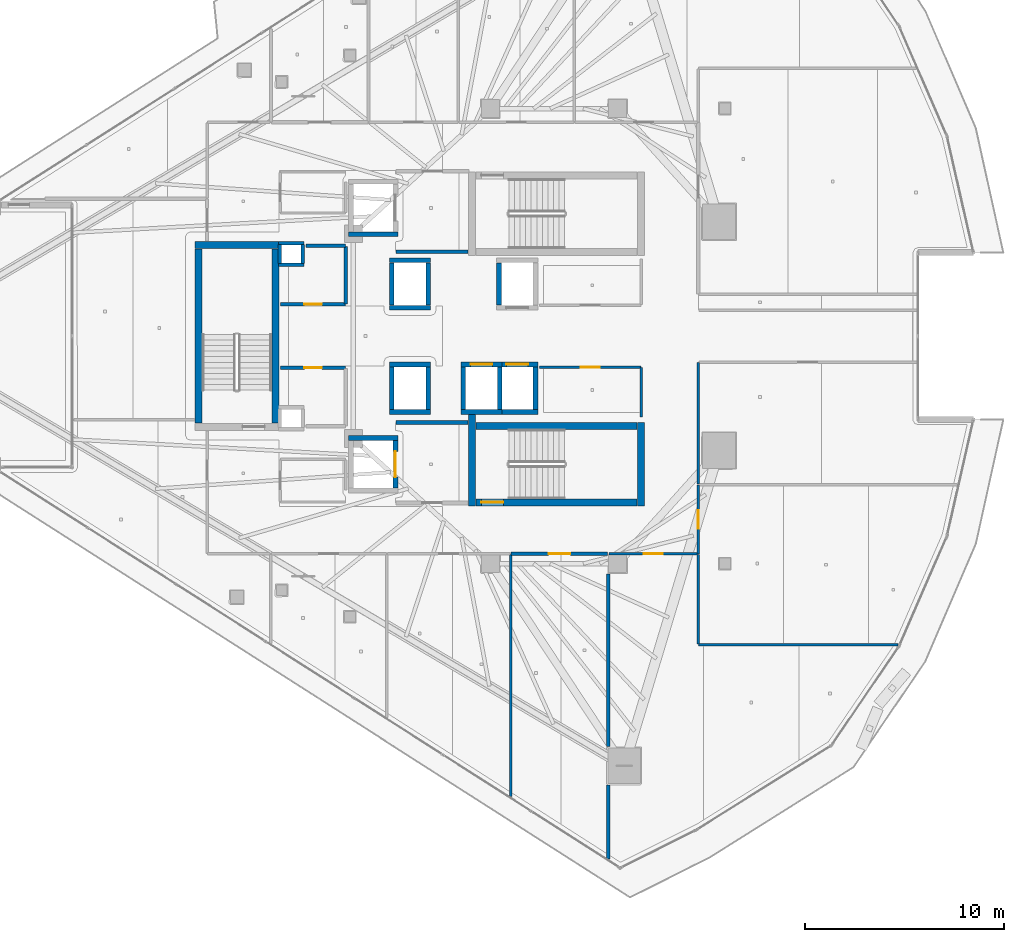
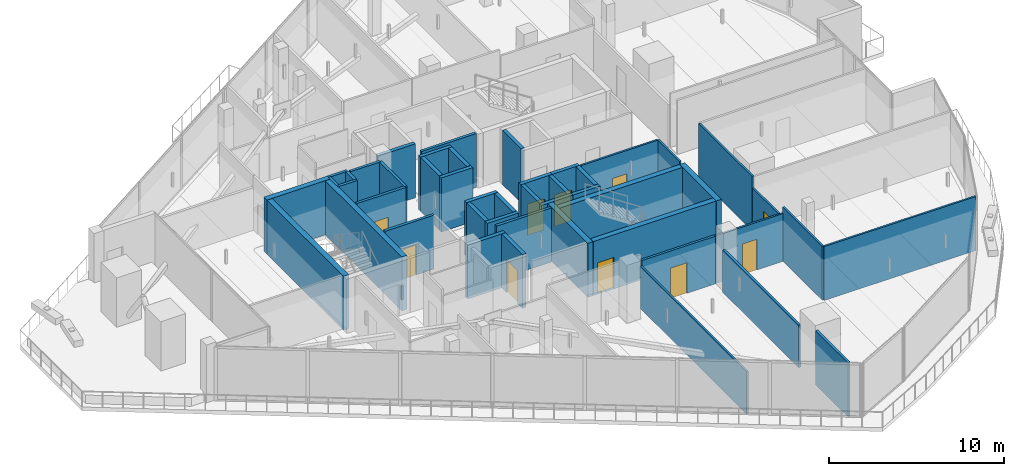
# One storey, part 29 of 40: 47 walls, 10 doors, 10 openings.
"""IFC4 building model written with IfcOpenShell, lengths in metres."""

from ifc_helpers import new_model, si_unit, direction, frame, frame_2d, origin, place, context, subcontext, project, spatial, rectangle, extrude, material, layer, layer_set, type_object, element, fill, save


model = new_model("IFC4")

# Units and contexts
model_context = context("Model", 3, precision=1e-05, world=origin(), true_north=direction((0.0, 1.0)))
body_context = subcontext(model_context, "Body", "Model", "MODEL_VIEW")
ifc_project = project(units=[si_unit("LENGTHUNIT", "METRE"), si_unit("AREAUNIT", "SQUARE_METRE"), si_unit("VOLUMEUNIT", "CUBIC_METRE"), si_unit("PLANEANGLEUNIT", "RADIAN"), si_unit("MASSUNIT", "GRAM", prefix="KILO")], contexts=[model_context])

# Site, building, storey
site_placement = place(None, origin())
site = spatial("IfcSite", under=ifc_project, at=site_placement, CompositionType="ELEMENT")
building_placement = place(site_placement, origin())
building = spatial("IfcBuilding", under=site, at=building_placement, Name="Qorvath Tower", CompositionType="ELEMENT")
storey_placement = place(building_placement, frame((0.0, 0.0, 225.300048828125)))
storey = spatial("IfcBuildingStorey", under=building, at=storey_placement, Name="L52", CompositionType="ELEMENT", Elevation=225.300048828125)

# Walls
ifc_material_1 = material(Name="Gypsum shaftliner on steel studs", Category="steel")
ifc_layer_1 = layer(ifc_material_1, 0.179931640625)
ifc_layer_set_1 = layer_set([ifc_layer_1], Name="FW-LOBBY")
wall_type_1 = type_object("IfcWallType", Name="FW-LOBBY", PredefinedType="PARTITIONING", material=ifc_layer_set_1)
for number, where, z_axis, x_axis, name in (
    (1, (-32.989990234375, 3.594970703125, 0.0), (0.0, 0.0, 1.0), (-1.0, 0.0, 0.0), "MEP Riser Shaft Enclosure Wall N-L52-S"),
    (2, (-34.260009765625, 4.675048828125, 0.0), (0.0, 0.0, 1.0), (1.0, 0.0, 0.0), "MEP Riser Shaft Enclosure Wall N-L52-N"),
):
    element("IfcWall", number, at=place(storey_placement, frame(where, z_axis=z_axis, x_axis=x_axis)), inside=storey, type_object=wall_type_1, Name=name, PredefinedType="PARTITIONING", context=body_context, shape_type="SweptSolid", body=[
        extrude(rectangle(XDim=1.27001953125, YDim=0.179931640625, at=frame_2d((0.635009765625, 0.0))), origin(), (0.0, 0.0, 1.0), 3.780029296875),
    ])
for number, where, z_axis, x_axis, name in (
    (3, (-34.205078125, 3.659912109375, 0.0), (0.0, 0.0, 1.0), (0.0, 1.0, 0.0), "MEP Riser Shaft Enclosure Wall N-L52-W"),
    (4, (-33.044921875, 4.610107421875, 0.0), (0.0, 0.0, 1.0), (0.0, -1.0, 0.0), "MEP Riser Shaft Enclosure Wall N-L52-E"),
):
    element("IfcWall", number, at=place(storey_placement, frame(where, z_axis=z_axis, x_axis=x_axis)), inside=storey, type_object=wall_type_1, Name=name, PredefinedType="PARTITIONING", context=body_context, shape_type="SweptSolid", body=[
        extrude(rectangle(XDim=0.9501953125, YDim=0.179931640625, at=frame_2d((0.47509765625, 0.0))), origin(), (0.0, 0.0, 1.0), 3.780029296875),
    ])
for number, where, z_axis, x_axis, name in (
    (5, (-28.35498046875, 4.25, 0.0), (0.0, 0.0, 1.0), (1.0, 0.0, 0.0), "Interior Partition IW-T1-L52-001"),
    (6, (-24.73291015625, -4.35009765625, 0.0), (0.0, 0.0, 1.0), (-1.0, 0.0, 0.0), "Interior Partition IW-T1-L52-004"),
):
    element("IfcWall", number, at=place(storey_placement, frame(where, z_axis=z_axis, x_axis=x_axis)), inside=storey, type_object=wall_type_1, Name=name, PredefinedType="PARTITIONING", context=body_context, shape_type="SweptSolid", body=[
        extrude(rectangle(XDim=3.6220703125, YDim=0.179931640625, at=frame_2d((1.81103515625, 0.0))), origin(), (0.0, 0.0, 1.0), 3.780029296875),
    ])

# Wall, opening, door
wall_1_placement = place(storey_placement, frame((-34.15478515625, 1.60009765625, 0.0), z_axis=(0.0, 0.0, 1.0), x_axis=(1.0, 0.0, 0.0)))
wall_1 = element("IfcWall", 7, at=wall_1_placement, inside=storey, type_object=wall_type_1, Name="Interior Partition IW-T1-L52-017", PredefinedType="PARTITIONING", context=body_context, shape_type="SweptSolid", body=[
    extrude(rectangle(XDim=3.25, YDim=0.179931640625, at=frame_2d((1.625, 0.0))), origin(), (0.0, 0.0, 1.0), 3.780029296875),
])
opening_1_placement = place(wall_1_placement, frame((1.18505859375, 0.0, 0.0)))
opening_1 = element("IfcOpeningElement", 8, at=opening_1_placement, cuts=wall_1, Name="Opening D-T1-L52-05", PredefinedType="OPENING", context=body_context, shape_type="SweptSolid", body=[
    extrude(rectangle(XDim=0.8798828125, YDim=2.10009765625, at=frame_2d((0.43994140625, 1.050048828125))), frame((0.0, 0.10009765625, 0.0), z_axis=(0.0, -1.0, 0.0), x_axis=(1.0, 0.0, 0.0)), (0.0, 0.0, 1.0), 0.199951171875),
])
ifc_material_2 = material(Name="Painted galvanised hollow metal", Category="steel")
door_type_1 = type_object("IfcDoorType", Name="FD-60N", OperationType="NOTDEFINED", PredefinedType="DOOR", material=ifc_material_2)
door_1_placement = place(opening_1_placement, origin())
door_1 = element("IfcDoor", 9, at=door_1_placement, inside=storey, type_object=door_type_1, Name="Core telecom and comms room L52 Door D-T1-L52-05", OperationType="SINGLE_SWING_RIGHT", OverallHeight=2.10009765625, OverallWidth=0.8798828125, PredefinedType="DOOR", context=body_context, shape_type="SweptSolid", body=[
    extrude(rectangle(XDim=0.8798828125, YDim=2.10009765625, at=frame_2d((0.43994140625, 1.050048828125))), frame((0.0, 0.02490234375, 0.0), z_axis=(0.0, -1.0, 0.0), x_axis=(1.0, 0.0, 0.0)), (0.0, 0.0, 1.0), 0.050048828125),
])
fill(opening_1, door_1)

# Walls
wall_2_placement = place(storey_placement, frame((-30.8798828125, 1.625, 0.0), z_axis=(0.0, 0.0, 1.0), x_axis=(0.0, 1.0, 0.0)))
element("IfcWall", 10, at=wall_2_placement, inside=storey, type_object=wall_type_1, Name="Interior Partition IW-T1-L52-018", PredefinedType="PARTITIONING", context=body_context, shape_type="SweptSolid", body=[
    extrude(rectangle(XDim=2.889892578125, YDim=0.179931640625, at=frame_2d((1.44482421875, 0.0))), origin(), (0.0, 0.0, 1.0), 3.780029296875),
])
wall_3_placement = place(storey_placement, frame((-30.90478515625, 4.5400390625, 0.0), z_axis=(0.0, 0.0, 1.0), x_axis=(-1.0, 0.0, 0.0)))
element("IfcWall", 11, at=wall_3_placement, inside=storey, type_object=wall_type_1, Name="Interior Partition IW-T1-L52-019", PredefinedType="PARTITIONING", context=body_context, shape_type="SweptSolid", body=[
    extrude(rectangle(XDim=1.97509765625, YDim=0.179931640625, at=frame_2d((0.987548828125, 0.0))), origin(), (0.0, 0.0, 1.0), 3.780029296875),
])

# Wall, opening, door
wall_4_placement = place(storey_placement, frame((-30.90478515625, -1.60009765625, 0.0), z_axis=(0.0, 0.0, 1.0), x_axis=(-1.0, 0.0, 0.0)))
wall_4 = element("IfcWall", 12, at=wall_4_placement, inside=storey, type_object=wall_type_1, Name="Interior Partition IW-T1-L52-022", PredefinedType="PARTITIONING", context=body_context, shape_type="SweptSolid", body=[
    extrude(rectangle(XDim=3.25, YDim=0.179931640625, at=frame_2d((1.625, 0.0))), origin(), (0.0, 0.0, 1.0), 3.780029296875),
])
opening_2_placement = place(wall_4_placement, frame((1.18505859375, 0.0, 0.0)))
opening_2 = element("IfcOpeningElement", 13, at=opening_2_placement, cuts=wall_4, Name="Opening D-T1-L52-06", PredefinedType="OPENING", context=body_context, shape_type="SweptSolid", body=[
    extrude(rectangle(XDim=0.8798828125, YDim=2.10009765625, at=frame_2d((0.43994140625, 1.050048828125))), frame((0.0, 0.10009765625, 0.0), z_axis=(0.0, -1.0, 0.0), x_axis=(1.0, 0.0, 0.0)), (0.0, 0.0, 1.0), 0.199951171875),
])
door_2_placement = place(opening_2_placement, origin())
door_2 = element("IfcDoor", 14, at=door_2_placement, inside=storey, type_object=door_type_1, Name="Core housekeeping store L52 Door D-T1-L52-06", OperationType="SINGLE_SWING_LEFT", OverallHeight=2.10009765625, OverallWidth=0.8798828125, PredefinedType="DOOR", context=body_context, shape_type="SweptSolid", body=[
    extrude(rectangle(XDim=0.8798828125, YDim=2.10009765625, at=frame_2d((0.43994140625, 1.050048828125))), frame((0.0, 0.02490234375, 0.0), z_axis=(0.0, -1.0, 0.0), x_axis=(1.0, 0.0, 0.0)), (0.0, 0.0, 1.0), 0.050048828125),
])
fill(opening_2, door_2)

# Walls
ifc_material_3 = material(Name="Double acoustic gypsum board on steel studs", Category="steel")
ifc_layer_2 = layer(ifc_material_3, 0.159912109375)
ifc_layer_set_2 = layer_set([ifc_layer_2], Name="IW-ACOUSTIC-160")
wall_type_2 = type_object("IfcWallType", Name="IW-ACOUSTIC-160", PredefinedType="PARTITIONING", material=ifc_layer_set_2)
wall_5_placement = place(storey_placement, frame((-17.676025390625, -26.310791015625, 0.0), z_axis=(0.0, 0.0, 1.0), x_axis=(0.0, 1.0, 0.0)))
element("IfcWall", 15, at=wall_5_placement, inside=storey, type_object=wall_type_2, Name="Interior Partition IW-T1-L52-038", PredefinedType="PARTITIONING", context=body_context, shape_type="SweptSolid", body=[
    extrude(rectangle(XDim=3.71875, YDim=0.159912109375, at=frame_2d((1.859375, 0.0))), origin(), (0.0, 0.0, 1.0), 3.780029296875),
])
wall_6_placement = place(storey_placement, frame((-17.676025390625, -20.662109375, 0.0), z_axis=(0.0, 0.0, 1.0), x_axis=(0.0, 1.0, 0.0)))
element("IfcWall", 16, at=wall_6_placement, inside=storey, type_object=wall_type_2, Name="Interior Partition IW-T1-L52-039", PredefinedType="PARTITIONING", context=body_context, shape_type="SweptSolid", body=[
    extrude(rectangle(XDim=8.697021484375, YDim=0.159912109375, at=frame_2d((4.3486328125, 0.0))), origin(), (0.0, 0.0, 1.0), 2.97705078125),
])

# Wall, opening, door
wall_7_placement = place(storey_placement, frame((-17.700927734375, -10.9580078125, 0.0), z_axis=(0.0, 0.0, 1.0), x_axis=(-1.0, 0.0, 0.0)))
wall_7 = element("IfcWall", 17, at=wall_7_placement, inside=storey, type_object=wall_type_2, Name="Interior Partition IW-T1-L52-040", PredefinedType="PARTITIONING", context=body_context, shape_type="SweptSolid", body=[
    extrude(rectangle(XDim=4.853271484375, YDim=0.159912109375, at=frame_2d((2.4267578125, 0.0))), origin(), (0.0, 0.0, 1.0), 3.34423828125),
])
opening_3_placement = place(wall_7_placement, frame((1.876708984375, 0.0, 0.0)))
opening_3 = element("IfcOpeningElement", 18, at=opening_3_placement, cuts=wall_7, Name="Opening D-T1-L52-13", PredefinedType="OPENING", context=body_context, shape_type="SweptSolid", body=[
    extrude(rectangle(XDim=1.10009765625, YDim=2.14990234375, at=frame_2d((0.550048828125, 1.074951171875))), frame((0.0, 0.08984375, 0.0), z_axis=(0.0, -1.0, 0.0), x_axis=(1.0, 0.0, 0.0)), (0.0, 0.0, 1.0), 0.179931640625),
])
ifc_material_4 = material(Name="Anodised aluminium acoustic framed glass", Category="aluminium")
door_type_2 = type_object("IfcDoorType", Name="D-03", OperationType="NOTDEFINED", PredefinedType="DOOR", material=ifc_material_4)
door_3_placement = place(opening_3_placement, origin())
door_3 = element("IfcDoor", 19, at=door_3_placement, inside=storey, type_object=door_type_2, Name="L52-07 Digital Visualization Suite Door D-T1-L52-13", OperationType="SINGLE_SWING_RIGHT", OverallHeight=2.14990234375, OverallWidth=1.10009765625, PredefinedType="DOOR", context=body_context, shape_type="SweptSolid", body=[
    extrude(rectangle(XDim=1.10009765625, YDim=2.14990234375, at=frame_2d((0.550048828125, 1.074951171875))), frame((0.0, 0.02490234375, 0.0), z_axis=(0.0, -1.0, 0.0), x_axis=(1.0, 0.0, 0.0)), (0.0, 0.0, 1.0), 0.050048828125),
])
fill(opening_3, door_3)

# Wall
ifc_material_5 = material(Name="Gypsum board on metal studs with mineral wool", Category="gypsum")
ifc_layer_3 = layer(ifc_material_5, 0.125)
ifc_layer_set_3 = layer_set([ifc_layer_3], Name="IW-PART-125")
wall_type_3 = type_object("IfcWallType", Name="IW-PART-125", PredefinedType="PARTITIONING", material=ifc_layer_set_3)
wall_8_placement = place(storey_placement, frame((-16.0, -4.0751953125, 0.0), z_axis=(0.0, 0.0, 1.0), x_axis=(0.0, 1.0, 0.0)))
element("IfcWall", 20, at=wall_8_placement, inside=storey, type_object=wall_type_3, Name="Interior Partition IW-T1-L52-015", PredefinedType="PARTITIONING", context=body_context, shape_type="SweptSolid", body=[
    extrude(rectangle(XDim=2.489990234375, YDim=0.125, at=frame_2d((1.2451171875, 0.0))), origin(), (0.0, 0.0, 1.0), 3.780029296875),
])

# Wall, opening, door
wall_9_placement = place(storey_placement, frame((-16.02490234375, -1.56005859375, 0.0), z_axis=(0.0, 0.0, 1.0), x_axis=(-1.0, 0.0, 0.0)))
wall_9 = element("IfcWall", 21, at=wall_9_placement, inside=storey, type_object=wall_type_3, Name="Interior Partition IW-T1-L52-016", PredefinedType="PARTITIONING", context=body_context, shape_type="SweptSolid", body=[
    extrude(rectangle(XDim=5.10888671875, YDim=0.125, at=frame_2d((2.554443359375, 0.0))), origin(), (0.0, 0.0, 1.0), 3.780029296875),
])
opening_4_placement = place(wall_9_placement, frame((2.079345703125, 0.0, 0.0)))
opening_4 = element("IfcOpeningElement", 22, at=opening_4_placement, cuts=wall_9, Name="Opening D-T1-L52-04", PredefinedType="OPENING", context=body_context, shape_type="SweptSolid", body=[
    extrude(rectangle(XDim=0.949951171875, YDim=2.14990234375, at=frame_2d((0.47509765625, 1.074951171875))), frame((0.0, 0.072509765625, 0.0), z_axis=(0.0, -1.0, 0.0), x_axis=(1.0, 0.0, 0.0)), (0.0, 0.0, 1.0), 0.14501953125),
])
ifc_material_6 = material(Name="Solid-core American white oak veneer", Category="wood")
door_type_3 = type_object("IfcDoorType", Name="D-01", OperationType="NOTDEFINED", PredefinedType="DOOR", material=ifc_material_6)
door_4_placement = place(opening_4_placement, origin())
door_4 = element("IfcDoor", 23, at=door_4_placement, inside=storey, type_object=door_type_3, Name="L52-RCS South Quantitative Server Suite Door D-T1-L52-04", OperationType="SINGLE_SWING_LEFT", OverallHeight=2.14990234375, OverallWidth=0.949951171875, PredefinedType="DOOR", context=body_context, shape_type="SweptSolid", body=[
    extrude(rectangle(XDim=0.949951171875, YDim=2.14990234375, at=frame_2d((0.47509765625, 1.074951171875))), frame((0.0, 0.02490234375, 0.0), z_axis=(0.0, -1.0, 0.0), x_axis=(1.0, 0.0, 0.0)), (0.0, 0.0, 1.0), 0.050048828125),
])
fill(opening_4, door_4)

# Walls
wall_10_placement = place(storey_placement, frame((-22.587158203125, -23.171875, 0.0), z_axis=(0.0, 0.0, 1.0), x_axis=(0.0, 1.0, 0.0)))
element("IfcWall", 24, at=wall_10_placement, inside=storey, type_object=wall_type_3, Name="Interior Partition IW-T1-L52-037", PredefinedType="PARTITIONING", context=body_context, shape_type="SweptSolid", body=[
    extrude(rectangle(XDim=12.18896484375, YDim=0.125, at=frame_2d((6.094482421875, 0.0))), origin(), (0.0, 0.0, 1.0), 2.97705078125),
])
wall_11_placement = place(storey_placement, frame((-3.08837890625, -15.545166015625, 0.0), z_axis=(0.0, 0.0, 1.0), x_axis=(-0.999998671921, 0.001629771613, 0.0)))
element("IfcWall", 25, at=wall_11_placement, inside=storey, type_object=wall_type_3, Name="Interior Partition IW-T1-L52-041", PredefinedType="PARTITIONING", context=body_context, shape_type="SweptSolid", body=[
    extrude(rectangle(XDim=10.03662109375, YDim=0.125, at=frame_2d((5.018310546875, 0.0))), origin(), (0.0, 0.0, 1.0), 3.780029296875),
])
wall_12_placement = place(storey_placement, frame((-13.14990234375, -10.98291015625, 0.0), z_axis=(0.0, 0.0, 1.0), x_axis=(0.0, -1.0, 0.0)))
element("IfcWall", 26, at=wall_12_placement, inside=storey, type_object=wall_type_3, Name="Interior Partition IW-T1-L52-042", PredefinedType="PARTITIONING", context=body_context, shape_type="SweptSolid", body=[
    extrude(rectangle(XDim=4.52099609375, YDim=0.125, at=frame_2d((2.260498046875, 0.0))), origin(), (0.0, 0.0, 1.0), 3.780029296875),
])

# Wall, opening, door
wall_13_placement = place(storey_placement, frame((-13.1748046875, -10.9580078125, 0.0), z_axis=(0.0, 0.0, 1.0), x_axis=(-1.0, 0.0, 0.0)))
wall_13 = element("IfcWall", 27, at=wall_13_placement, inside=storey, type_object=wall_type_3, Name="Interior Partition IW-T1-L52-043", PredefinedType="PARTITIONING", context=body_context, shape_type="SweptSolid", body=[
    extrude(rectangle(XDim=4.46826171875, YDim=0.125, at=frame_2d((2.234130859375, 0.0))), origin(), (0.0, 0.0, 1.0), 3.34423828125),
])
opening_5_placement = place(wall_13_placement, frame((1.759033203125, 0.0, 0.0)))
opening_5 = element("IfcOpeningElement", 28, at=opening_5_placement, cuts=wall_13, Name="Opening D-T1-L52-14", PredefinedType="OPENING", context=body_context, shape_type="SweptSolid", body=[
    extrude(rectangle(XDim=0.949951171875, YDim=2.14990234375, at=frame_2d((0.47509765625, 1.074951171875))), frame((0.0, 0.072509765625, 0.0), z_axis=(0.0, -1.0, 0.0), x_axis=(1.0, 0.0, 0.0)), (0.0, 0.0, 1.0), 0.14501953125),
])
door_5_placement = place(opening_5_placement, origin())
door_5 = element("IfcDoor", 29, at=door_5_placement, inside=storey, type_object=door_type_3, Name="L52-08 Quantitative Research Studio Door D-T1-L52-14", OperationType="SINGLE_SWING_LEFT", OverallHeight=2.14990234375, OverallWidth=0.949951171875, PredefinedType="DOOR", context=body_context, shape_type="SweptSolid", body=[
    extrude(rectangle(XDim=0.949951171875, YDim=2.14990234375, at=frame_2d((0.47509765625, 1.074951171875))), frame((0.0, 0.02490234375, 0.0), z_axis=(0.0, -1.0, 0.0), x_axis=(1.0, 0.0, 0.0)), (0.0, 0.0, 1.0), 0.050048828125),
])
fill(opening_5, door_5)

wall_14_placement = place(storey_placement, frame((-13.14208984375, -7.505615234375, 0.0), z_axis=(0.0, 0.0, 1.0), x_axis=(0.0, -1.0, 0.0)))
wall_14 = element("IfcWall", 30, at=wall_14_placement, inside=storey, type_object=wall_type_3, Name="Interior Partition IW-T1-L52-045", PredefinedType="PARTITIONING", context=body_context, shape_type="SweptSolid", body=[
    extrude(rectangle(XDim=3.452392578125, YDim=0.125, at=frame_2d((1.72607421875, 0.0))), origin(), (0.0, 0.0, 1.0), 3.0),
])
opening_6_placement = place(wall_14_placement, frame((1.251220703125, 0.0, 0.0)))
opening_6 = element("IfcOpeningElement", 31, at=opening_6_placement, cuts=wall_14, Name="Opening D-T1-L52-15", PredefinedType="OPENING", context=body_context, shape_type="SweptSolid", body=[
    extrude(rectangle(XDim=0.949951171875, YDim=2.14990234375, at=frame_2d((0.47509765625, 1.074951171875))), frame((0.0, 0.072509765625, 0.0), z_axis=(0.0, -1.0, 0.0), x_axis=(1.0, 0.0, 0.0)), (0.0, 0.0, 1.0), 0.14501953125),
])
door_6_placement = place(opening_6_placement, origin())
door_6 = element("IfcDoor", 32, at=door_6_placement, inside=storey, type_object=door_type_3, Name="L52-09 Engineering Documentation Suite Door D-T1-L52-15", OperationType="SINGLE_SWING_RIGHT", OverallHeight=2.14990234375, OverallWidth=0.949951171875, PredefinedType="DOOR", context=body_context, shape_type="SweptSolid", body=[
    extrude(rectangle(XDim=0.949951171875, YDim=2.14990234375, at=frame_2d((0.47509765625, 1.074951171875))), frame((0.0, 0.02490234375, 0.0), z_axis=(0.0, -1.0, 0.0), x_axis=(1.0, 0.0, 0.0)), (0.0, 0.0, 1.0), 0.050048828125),
])
fill(opening_6, door_6)

# Walls
wall_15_placement = place(storey_placement, frame((-13.14208984375, -1.3330078125, 0.0), z_axis=(0.0, 0.0, 1.0), x_axis=(0.0, -1.0, 0.0)))
element("IfcWall", 33, at=wall_15_placement, inside=storey, type_object=wall_type_3, Name="Interior Partition IW-T1-L52-049", PredefinedType="PARTITIONING", context=body_context, shape_type="SweptSolid", body=[
    extrude(rectangle(XDim=6.114990234375, YDim=0.125, at=frame_2d((3.0576171875, 0.0))), origin(), (0.0, 0.0, 1.0), 3.780029296875),
])
ifc_material_7 = material(Name="Concrete C60/75", Category="concrete")
ifc_layer_4 = layer(ifc_material_7, 0.260009765625)
ifc_layer_set_4 = layer_set([ifc_layer_4], Name="SW-SHAFT")
wall_type_4 = type_object("IfcWallType", Name="SW-SHAFT", PredefinedType="SHEAR", material=ifc_layer_set_4)
for number, where, z_axis, x_axis, name in (
    (34, (-28.260009765625, 5.1298828125, 0.0), (0.0, 0.0, 1.0), (-1.0, 0.0, 0.0), "Hoistway Wall FSAE-1 L52 S"),
    (35, (-30.739990234375, -5.1298828125, 0.0), (0.0, 0.0, 1.0), (1.0, 0.0, 0.0), "Hoistway Wall FSAE-2 L52 N"),
):
    element("IfcWall", number, at=place(storey_placement, frame(where, z_axis=z_axis, x_axis=x_axis)), inside=storey, type_object=wall_type_4, Name=name, PredefinedType="SHEAR", context=body_context, shape_type="SweptSolid", body=[
        extrude(rectangle(XDim=2.47998046875, YDim=0.239990234375, at=frame_2d((1.239990234375, 0.0))), origin(), (0.0, 0.0, 1.0), 3.780029296875),
    ])

# Wall, opening, door
wall_16_placement = place(storey_placement, frame((-28.3798828125, -5.261962890625, 0.0), z_axis=(0.0, 0.0, 1.0), x_axis=(0.0, -1.0, 0.0)))
wall_16 = element("IfcWall", 36, at=wall_16_placement, inside=storey, type_object=wall_type_4, Name="Hoistway Wall FSAE-2 L52 E", PredefinedType="SHEAR", context=body_context, shape_type="SweptSolid", body=[
    extrude(rectangle(XDim=2.3759765625, YDim=0.239990234375, at=frame_2d((1.18798828125, 0.0))), origin(), (0.0, 0.0, 1.0), 3.780029296875),
])
opening_7_placement = place(wall_16_placement, frame((0.5380859375, 0.0, 0.0)))
opening_7 = element("IfcOpeningElement", 37, at=opening_7_placement, cuts=wall_16, Name="Opening LD-FSAE-2-L52", PredefinedType="OPENING", context=body_context, shape_type="SweptSolid", body=[
    extrude(rectangle(XDim=1.300048828125, YDim=2.300048828125, at=frame_2d((0.64990234375, 1.14990234375))), frame((0.0, 0.1298828125, 0.0), z_axis=(0.0, -1.0, 0.0), x_axis=(1.0, 0.0, 0.0)), (0.0, 0.0, 1.0), 0.260009765625),
])
ifc_material_8 = material(Name="Brushed stainless steel AISI 316", Category="steel")
door_type_4 = type_object("IfcDoorType", Name="LD-02", OperationType="NOTDEFINED", PredefinedType="DOOR", material=ifc_material_8)
door_7_placement = place(opening_7_placement, origin())
door_7 = element("IfcDoor", 38, at=door_7_placement, inside=storey, type_object=door_type_4, Name="Elevator Landing Sliding Door LD-FSAE-2-L52", OperationType="DOUBLE_DOOR_SLIDING", OverallHeight=2.300048828125, OverallWidth=1.300048828125, PredefinedType="DOOR", context=body_context, shape_type="SweptSolid", body=[
    extrude(rectangle(XDim=1.300048828125, YDim=2.300048828125, at=frame_2d((0.64990234375, 1.14990234375))), frame((0.0, 0.02490234375, 0.0), z_axis=(0.0, -1.0, 0.0), x_axis=(1.0, 0.0, 0.0)), (0.0, 0.0, 1.0), 0.050048828125),
])
fill(opening_7, door_7)

# Walls
for number, where, z_axis, x_axis, name in (
    (39, (-26.610107421875, 1.429931640625, 0.0), (0.0, 0.0, 1.0), (-1.0, 0.0, 0.0), "Hoistway Wall PS-1 L52 S"),
    (40, (-28.68994140625, 3.820068359375, 0.0), (0.0, 0.0, 1.0), (1.0, 0.0, 0.0), "Hoistway Wall PS-1 L52 N"),
):
    element("IfcWall", number, at=place(storey_placement, frame(where, z_axis=z_axis, x_axis=x_axis)), inside=storey, type_object=wall_type_4, Name=name, PredefinedType="SHEAR", context=body_context, shape_type="SweptSolid", body=[
        extrude(rectangle(XDim=2.079833984375, YDim=0.239990234375, at=frame_2d((1.0400390625, 0.0))), origin(), (0.0, 0.0, 1.0), 3.780029296875),
    ])
for number, where, z_axis, x_axis, name in (
    (41, (-28.570068359375, 1.56201171875, 0.0), (0.0, 0.0, 1.0), (0.0, 1.0, 0.0), "Hoistway Wall PS-1 L52 W"),
    (42, (-26.72998046875, 3.68798828125, 0.0), (0.0, 0.0, 1.0), (0.0, -1.0, 0.0), "Hoistway Wall PS-1 L52 E"),
    (43, (-23.169921875, 1.56201171875, 0.0), (0.0, 0.0, 1.0), (0.0, 1.0, 0.0), "Hoistway Wall PU-1 L52 W"),
):
    element("IfcWall", number, at=place(storey_placement, frame(where, z_axis=z_axis, x_axis=x_axis)), inside=storey, type_object=wall_type_4, Name=name, PredefinedType="SHEAR", context=body_context, shape_type="SweptSolid", body=[
        extrude(rectangle(XDim=2.1259765625, YDim=0.239990234375, at=frame_2d((1.06298828125, 0.0))), origin(), (0.0, 0.0, 1.0), 3.780029296875),
    ])
for number, where, z_axis, x_axis, name in (
    (44, (-26.610107421875, -3.820068359375, 0.0), (0.0, 0.0, 1.0), (-1.0, 0.0, 0.0), "Hoistway Wall PS-2 L52 S"),
    (45, (-28.68994140625, -1.429931640625, 0.0), (0.0, 0.0, 1.0), (1.0, 0.0, 0.0), "Hoistway Wall PS-2 L52 N"),
):
    element("IfcWall", number, at=place(storey_placement, frame(where, z_axis=z_axis, x_axis=x_axis)), inside=storey, type_object=wall_type_4, Name=name, PredefinedType="SHEAR", context=body_context, shape_type="SweptSolid", body=[
        extrude(rectangle(XDim=2.079833984375, YDim=0.239990234375, at=frame_2d((1.0400390625, 0.0))), origin(), (0.0, 0.0, 1.0), 3.780029296875),
    ])
for number, where, z_axis, x_axis, name in (
    (46, (-28.570068359375, -3.68798828125, 0.0), (0.0, 0.0, 1.0), (0.0, 1.0, 0.0), "Hoistway Wall PS-2 L52 W"),
    (47, (-26.72998046875, -1.56201171875, 0.0), (0.0, 0.0, 1.0), (0.0, -1.0, 0.0), "Hoistway Wall PS-2 L52 E"),
):
    element("IfcWall", number, at=place(storey_placement, frame(where, z_axis=z_axis, x_axis=x_axis)), inside=storey, type_object=wall_type_4, Name=name, PredefinedType="SHEAR", context=body_context, shape_type="SweptSolid", body=[
        extrude(rectangle(XDim=2.1259765625, YDim=0.239990234375, at=frame_2d((1.06298828125, 0.0))), origin(), (0.0, 0.0, 1.0), 3.780029296875),
    ])
wall_17_placement = place(storey_placement, frame((-23.010009765625, -3.820068359375, 0.0), z_axis=(0.0, 0.0, 1.0), x_axis=(-1.0, 0.0, 0.0)))
element("IfcWall", 48, at=wall_17_placement, inside=storey, type_object=wall_type_4, Name="Hoistway Wall PU-2 L52 S", PredefinedType="SHEAR", context=body_context, shape_type="SweptSolid", body=[
    extrude(rectangle(XDim=2.080078125, YDim=0.239990234375, at=frame_2d((1.0400390625, 0.0))), origin(), (0.0, 0.0, 1.0), 3.780029296875),
])

# Wall, opening, door
wall_18_placement = place(storey_placement, frame((-25.090087890625, -1.429931640625, 0.0), z_axis=(0.0, 0.0, 1.0), x_axis=(1.0, 0.0, 0.0)))
wall_18 = element("IfcWall", 49, at=wall_18_placement, inside=storey, type_object=wall_type_4, Name="Hoistway Wall PU-2 L52 N", PredefinedType="SHEAR", context=body_context, shape_type="SweptSolid", body=[
    extrude(rectangle(XDim=2.080078125, YDim=0.239990234375, at=frame_2d((1.0400390625, 0.0))), origin(), (0.0, 0.0, 1.0), 3.780029296875),
])
opening_8_placement = place(wall_18_placement, frame((0.489990234375, 0.0, 0.0)))
opening_8 = element("IfcOpeningElement", 50, at=opening_8_placement, cuts=wall_18, Name="Opening LD-PU-2-L52", PredefinedType="OPENING", context=body_context, shape_type="SweptSolid", body=[
    extrude(rectangle(XDim=1.10009765625, YDim=2.199951171875, at=frame_2d((0.550048828125, 1.10009765625))), frame((0.0, 0.1298828125, 0.0), z_axis=(0.0, -1.0, 0.0), x_axis=(1.0, 0.0, 0.0)), (0.0, 0.0, 1.0), 0.260009765625),
])
ifc_material_9 = material(Name="Brushed stainless steel AISI 316", Category="steel")
door_type_5 = type_object("IfcDoorType", Name="LD-01", OperationType="NOTDEFINED", PredefinedType="DOOR", material=ifc_material_9)
door_8_placement = place(opening_8_placement, origin())
door_8 = element("IfcDoor", 51, at=door_8_placement, inside=storey, type_object=door_type_5, Name="Elevator Landing Sliding Door LD-PU-2-L52", OperationType="DOUBLE_DOOR_SLIDING", OverallHeight=2.199951171875, OverallWidth=1.10009765625, PredefinedType="DOOR", context=body_context, shape_type="SweptSolid", body=[
    extrude(rectangle(XDim=1.10009765625, YDim=2.199951171875, at=frame_2d((0.550048828125, 1.10009765625))), frame((0.0, 0.02490234375, 0.0), z_axis=(0.0, -1.0, 0.0), x_axis=(1.0, 0.0, 0.0)), (0.0, 0.0, 1.0), 0.050048828125),
])
fill(opening_8, door_8)

# Walls
for number, where, z_axis, x_axis, name in (
    (52, (-24.969970703125, -3.68798828125, 0.0), (0.0, 0.0, 1.0), (0.0, 1.0, 0.0), "Hoistway Wall PU-2 L52 W"),
    (53, (-23.1298828125, -1.56201171875, 0.0), (0.0, 0.0, 1.0), (0.0, -1.0, 0.0), "Hoistway Wall PU-2 L52 E"),
):
    element("IfcWall", number, at=place(storey_placement, frame(where, z_axis=z_axis, x_axis=x_axis)), inside=storey, type_object=wall_type_4, Name=name, PredefinedType="SHEAR", context=body_context, shape_type="SweptSolid", body=[
        extrude(rectangle(XDim=2.1259765625, YDim=0.239990234375, at=frame_2d((1.06298828125, 0.0))), origin(), (0.0, 0.0, 1.0), 3.780029296875),
    ])
wall_19_placement = place(storey_placement, frame((-21.2099609375, -3.820068359375, 0.0), z_axis=(0.0, 0.0, 1.0), x_axis=(-1.0, 0.0, 0.0)))
element("IfcWall", 54, at=wall_19_placement, inside=storey, type_object=wall_type_4, Name="Hoistway Wall PU-3 L52 S", PredefinedType="SHEAR", context=body_context, shape_type="SweptSolid", body=[
    extrude(rectangle(XDim=1.800048828125, YDim=0.239990234375, at=frame_2d((0.89990234375, 0.0))), origin(), (0.0, 0.0, 1.0), 3.780029296875),
])

# Wall, opening, door
wall_20_placement = place(storey_placement, frame((-23.010009765625, -1.429931640625, 0.0), z_axis=(0.0, 0.0, 1.0), x_axis=(1.0, 0.0, 0.0)))
wall_20 = element("IfcWall", 55, at=wall_20_placement, inside=storey, type_object=wall_type_4, Name="Hoistway Wall PU-3 L52 N", PredefinedType="SHEAR", context=body_context, shape_type="SweptSolid", body=[
    extrude(rectangle(XDim=1.800048828125, YDim=0.239990234375, at=frame_2d((0.89990234375, 0.0))), origin(), (0.0, 0.0, 1.0), 3.780029296875),
])
opening_9_placement = place(wall_20_placement, frame((0.2099609375, 0.0, 0.0)))
opening_9 = element("IfcOpeningElement", 56, at=opening_9_placement, cuts=wall_20, Name="Opening LD-PU-3-L52", PredefinedType="OPENING", context=body_context, shape_type="SweptSolid", body=[
    extrude(rectangle(XDim=1.10009765625, YDim=2.199951171875, at=frame_2d((0.550048828125, 1.10009765625))), frame((0.0, 0.1298828125, 0.0), z_axis=(0.0, -1.0, 0.0), x_axis=(1.0, 0.0, 0.0)), (0.0, 0.0, 1.0), 0.260009765625),
])
door_9_placement = place(opening_9_placement, origin())
door_9 = element("IfcDoor", 57, at=door_9_placement, inside=storey, type_object=door_type_5, Name="Elevator Landing Sliding Door LD-PU-3-L52", OperationType="DOUBLE_DOOR_SLIDING", OverallHeight=2.199951171875, OverallWidth=1.10009765625, PredefinedType="DOOR", context=body_context, shape_type="SweptSolid", body=[
    extrude(rectangle(XDim=1.10009765625, YDim=2.199951171875, at=frame_2d((0.550048828125, 1.10009765625))), frame((0.0, 0.02490234375, 0.0), z_axis=(0.0, -1.0, 0.0), x_axis=(1.0, 0.0, 0.0)), (0.0, 0.0, 1.0), 0.050048828125),
])
fill(opening_9, door_9)

# Walls
wall_21_placement = place(storey_placement, frame((-21.330078125, -1.56201171875, 0.0), z_axis=(0.0, 0.0, 1.0), x_axis=(0.0, -1.0, 0.0)))
element("IfcWall", 58, at=wall_21_placement, inside=storey, type_object=wall_type_4, Name="Hoistway Wall PU-3 L52 E", PredefinedType="SHEAR", context=body_context, shape_type="SweptSolid", body=[
    extrude(rectangle(XDim=2.1259765625, YDim=0.239990234375, at=frame_2d((1.06298828125, 0.0))), origin(), (0.0, 0.0, 1.0), 3.780029296875),
])
ifc_material_10 = material(Name="Concrete C60/75", Category="concrete")
ifc_layer_5 = layer(ifc_material_10, 0.35009765625)
ifc_layer_set_5 = layer_set([ifc_layer_5], Name="SW-STAIR")
wall_type_5 = type_object("IfcWallType", Name="SW-STAIR", PredefinedType="SHEAR", material=ifc_layer_set_5)
wall_22_placement = place(storey_placement, frame((-24.52490234375, -3.93994140625, 0.0), z_axis=(0.0, 0.0, 1.0), x_axis=(0.0, -1.0, 0.0)))
element("IfcWall", 59, at=wall_22_placement, inside=storey, type_object=wall_type_5, Name="Stair TS2 Shear Wall L52 NEAR", PredefinedType="SHEAR", context=body_context, shape_type="SweptSolid", body=[
    extrude(rectangle(XDim=4.610107421875, YDim=0.35009765625, at=frame_2d((2.30517578125, 0.0))), origin(), (0.0, 0.0, 1.0), 3.780029296875),
])
wall_23_placement = place(storey_placement, frame((-16.02490234375, -8.550048828125, 0.0), z_axis=(0.0, 0.0, 1.0), x_axis=(0.0, 1.0, 0.0)))
element("IfcWall", 60, at=wall_23_placement, inside=storey, type_object=wall_type_5, Name="Stair TS2 Shear Wall L52 FAR", PredefinedType="SHEAR", context=body_context, shape_type="SweptSolid", body=[
    extrude(rectangle(XDim=4.2099609375, YDim=0.35009765625, at=frame_2d((2.10498046875, 0.0))), origin(), (0.0, 0.0, 1.0), 3.780029296875),
])

# Wall, opening, door
wall_24_placement = place(storey_placement, frame((-24.3349609375, -8.375, 0.0), z_axis=(0.0, 0.0, 1.0), x_axis=(1.0, 0.0, 0.0)))
wall_24 = element("IfcWall", 61, at=wall_24_placement, inside=storey, type_object=wall_type_5, Name="Stair TS2 Shear Wall L52 LEFT", PredefinedType="SHEAR", context=body_context, shape_type="SweptSolid", body=[
    extrude(rectangle(XDim=8.119873046875, YDim=0.35009765625, at=frame_2d((4.06005859375, 0.0))), origin(), (0.0, 0.0, 1.0), 3.780029296875),
])
opening_10_placement = place(wall_24_placement, frame((0.280029296875, 0.0, 0.0)))
opening_10 = element("IfcOpeningElement", 62, at=opening_10_placement, cuts=wall_24, Name="Opening D-TS2-L52", PredefinedType="OPENING", context=body_context, shape_type="SweptSolid", body=[
    extrude(rectangle(XDim=1.10009765625, YDim=2.199951171875, at=frame_2d((0.550048828125, 1.10009765625))), frame((0.0, 0.18505859375, 0.0), z_axis=(0.0, -1.0, 0.0), x_axis=(1.0, 0.0, 0.0)), (0.0, 0.0, 1.0), 0.3701171875),
])
ifc_material_11 = material(Name="Painted galvanised hollow metal", Category="steel")
door_type_6 = type_object("IfcDoorType", Name="FD-90", OperationType="NOTDEFINED", PredefinedType="DOOR", material=ifc_material_11)
door_10_placement = place(opening_10_placement, origin())
door_10 = element("IfcDoor", 63, at=door_10_placement, inside=storey, type_object=door_type_6, Name="Stair TS2 Fire Door L52", OperationType="SINGLE_SWING_LEFT", OverallHeight=2.199951171875, OverallWidth=1.10009765625, PredefinedType="DOOR", context=body_context, shape_type="SweptSolid", body=[
    extrude(rectangle(XDim=1.10009765625, YDim=2.199951171875, at=frame_2d((0.550048828125, 1.10009765625))), frame((0.0, 0.02490234375, 0.0), z_axis=(0.0, -1.0, 0.0), x_axis=(1.0, 0.0, 0.0)), (0.0, 0.0, 1.0), 0.050048828125),
])
fill(opening_10, door_10)

# Walls
wall_25_placement = place(storey_placement, frame((-16.215087890625, -4.514892578125, 0.0), z_axis=(0.0, 0.0, 1.0), x_axis=(-1.0, 0.0, 0.0)))
element("IfcWall", 64, at=wall_25_placement, inside=storey, type_object=wall_type_5, Name="Stair TS2 Shear Wall L52 RIGHT", PredefinedType="SHEAR", context=body_context, shape_type="SweptSolid", body=[
    extrude(rectangle(XDim=8.119873046875, YDim=0.35009765625, at=frame_2d((4.06005859375, 0.0))), origin(), (0.0, 0.0, 1.0), 3.780029296875),
])
wall_26_placement = place(storey_placement, frame((-34.25, 4.574951171875, 0.0), z_axis=(0.0, 0.0, 1.0), x_axis=(-1.0, 0.0, 0.0)))
element("IfcWall", 65, at=wall_26_placement, inside=storey, type_object=wall_type_5, Name="Stair TS3 Shear Wall L52 FAR", PredefinedType="SHEAR", context=body_context, shape_type="SweptSolid", body=[
    extrude(rectangle(XDim=4.2099609375, YDim=0.35009765625, at=frame_2d((2.10498046875, 0.0))), origin(), (0.0, 0.0, 1.0), 3.780029296875),
])
for number, where, z_axis, x_axis, name in (
    (66, (-34.425048828125, -4.385009765625, 0.0), (0.0, 0.0, 1.0), (0.0, 1.0, 0.0), "Stair TS3 Shear Wall L52 LEFT"),
    (67, (-38.284912109375, 4.385009765625, 0.0), (0.0, 0.0, 1.0), (0.0, -1.0, 0.0), "Stair TS3 Shear Wall L52 RIGHT"),
):
    element("IfcWall", number, at=place(storey_placement, frame(where, z_axis=z_axis, x_axis=x_axis)), inside=storey, type_object=wall_type_5, Name=name, PredefinedType="SHEAR", context=body_context, shape_type="SweptSolid", body=[
        extrude(rectangle(XDim=8.77001953125, YDim=0.35009765625, at=frame_2d((4.385009765625, 0.0))), origin(), (0.0, 0.0, 1.0), 3.780029296875),
    ])

save(model, "model.ifc")
